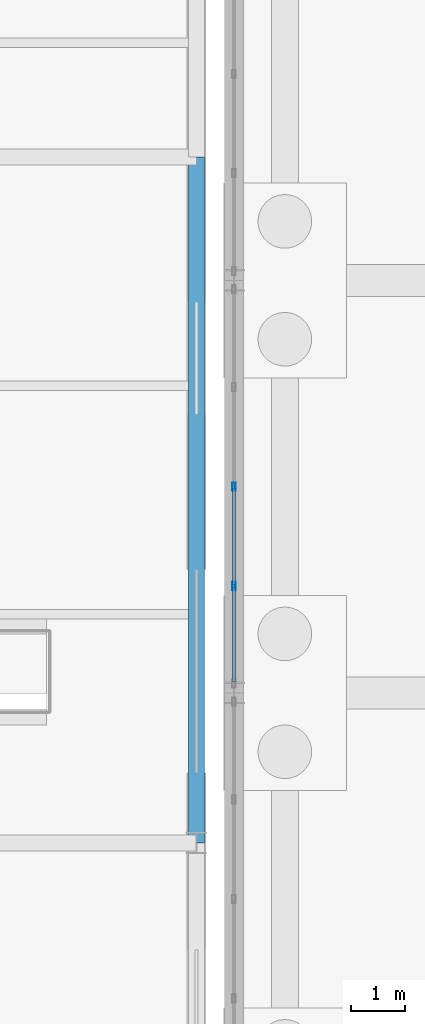
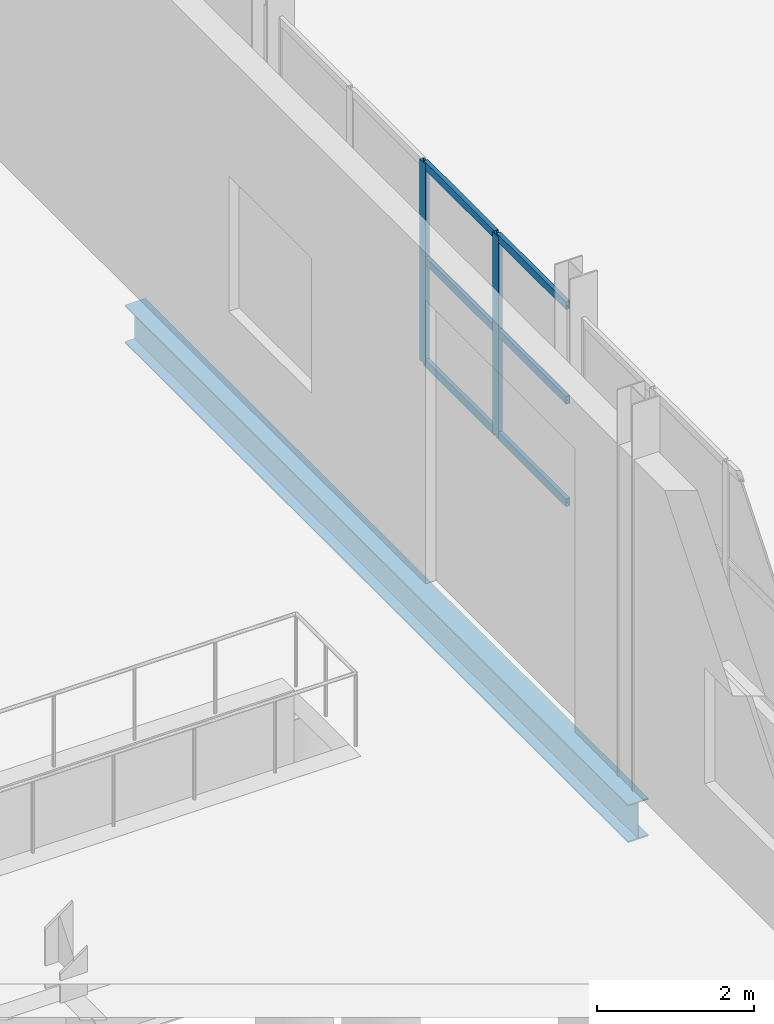
# One storey, part 78 of 139: 8 members, 1 beam, 1 element without a shape of its own.
"""IFC4 building model written with IfcOpenShell, lengths in metres."""

from ifc_helpers import new_model, si_unit, direction, frame, origin, origin_2d, place, context, subcontext, project, spatial, hollow_rectangle, i_section, extrude, material, material_profile, profile_set, type_object, element, aggregate, save


model = new_model("IFC4")

# Units and contexts
model_context = context("Model", 3, precision=1e-05, world=origin(), true_north=direction((0.0, 1.0)))
body_context = subcontext(model_context, "Body", "Model", "MODEL_VIEW")
ifc_project = project(units=[si_unit("LENGTHUNIT", "METRE"), si_unit("AREAUNIT", "SQUARE_METRE"), si_unit("VOLUMEUNIT", "CUBIC_METRE"), si_unit("PLANEANGLEUNIT", "RADIAN"), si_unit("MASSUNIT", "GRAM", prefix="KILO")], contexts=[model_context])

# Site, building, storey
site_placement = place(None, origin())
site = spatial("IfcSite", under=ifc_project, at=site_placement, CompositionType="ELEMENT")
building_placement = place(site_placement, origin())
building = spatial("IfcBuilding", under=site, at=building_placement, Name="Kazenagashi Tramway Depot", CompositionType="ELEMENT")
storey_placement = place(building_placement, origin())
storey = spatial("IfcBuildingStorey", under=building, at=storey_placement, Name="L01", CompositionType="ELEMENT", Elevation=0.0)

# Curtain wall, members
ifc_material_1 = material(Name="Anodised Aluminium and Low-E Glazing", Category="aluminium")
curtain_wall_type = type_object("IfcCurtainWallType", Name="CW-30", PredefinedType="USERDEFINED", material=ifc_material_1)
curtain_wall_placement = place(storey_placement, origin())
curtain_wall = element("IfcCurtainWall", 1, at=curtain_wall_placement, inside=storey, type_object=curtain_wall_type, Name="Industrial Glazed Screen CW-30 CW-0166", ObjectType="GLAZED SCREEN", PredefinedType="USERDEFINED")
ifc_material_2 = material(Name="Anodised Aluminium", Category="aluminium")
ifc_material_profile_1 = material_profile(ifc_material_2, hollow_rectangle(XDim=0.06, YDim=0.15, WallThickness=0.004, at=origin_2d()), Name="RHS-150x60x4")
ifc_profile_set_1 = profile_set([ifc_material_profile_1], Name="Anodised Aluminium")
member_type_1 = type_object("IfcMemberType", Name="ML-01", PredefinedType="MULLION", material=ifc_profile_set_1)
member_1_placement = place(storey_placement, frame((146.3, 40.495, 2.2), z_axis=(0.0, 0.0, 1.0), x_axis=(-1.0, 0.0, 0.0)))
member_1 = element("IfcMember", 2, at=member_1_placement, type_object=member_type_1, Name="CW-30 mullion 2", PredefinedType="MULLION", context=body_context, shape_type="SweptSolid", body=[
    extrude(hollow_rectangle(XDim=0.06, YDim=0.15, WallThickness=0.004, at=origin_2d()), origin(), (0.0, 0.0, 1.0), 3.12),
])
member_2_placement = place(storey_placement, frame((146.3, 42.35, 2.2), z_axis=(0.0, 0.0, 1.0), x_axis=(-1.0, 0.0, 0.0)))
member_2 = element("IfcMember", 3, at=member_2_placement, type_object=member_type_1, Name="CW-30 mullion 3", PredefinedType="MULLION", context=body_context, shape_type="SweptSolid", body=[
    extrude(hollow_rectangle(XDim=0.06, YDim=0.15, WallThickness=0.004, at=origin_2d()), origin(), (0.0, 0.0, 1.0), 3.12),
])

# Beam
ifc_material_3 = material(Name="Steel SN490B", Category="steel")
ifc_material_profile_2 = material_profile(ifc_material_3, i_section(OverallWidth=0.3, OverallDepth=0.588, WebThickness=0.012, FlangeThickness=0.02, at=origin_2d()), Name="H-588x300x12x20")
ifc_profile_set_2 = profile_set([ifc_material_profile_2], Name="Steel SN490B")
beam_type = type_object("IfcBeamType", Name="SP-01", PredefinedType="SPANDREL", material=ifc_profile_set_2)
beam_placement = place(storey_placement, frame((145.6, 35.7, -0.644), z_axis=(0.0, 1.0, 0.0), x_axis=(-1.0, 0.0, 0.0)))
element("IfcBeam", 4, at=beam_placement, inside=storey, type_object=beam_type, Name="Beam SP-01 BM-0944", PredefinedType="SPANDREL", context=body_context, shape_type="SweptSolid", body=[
    extrude(i_section(OverallWidth=0.3, OverallDepth=0.588, WebThickness=0.012, FlangeThickness=0.02, at=origin_2d()), origin(), (0.0, 0.0, 1.0), 12.8),
])

# Member
ifc_material_profile_3 = material_profile(ifc_material_2, hollow_rectangle(XDim=0.06, YDim=0.12, WallThickness=0.004, at=origin_2d()), Name="RHS-120x60x4")
ifc_profile_set_3 = profile_set([ifc_material_profile_3], Name="Anodised Aluminium")
member_type_2 = type_object("IfcMemberType", Name="TR-01", PredefinedType="USERDEFINED", material=ifc_profile_set_3)
member_3_placement = place(storey_placement, frame((146.3, 38.7, 2.23), z_axis=(0.0, 1.0, 0.0), x_axis=(-1.0, 0.0, 0.0)))
member_3 = element("IfcMember", 5, at=member_3_placement, type_object=member_type_2, Name="CW-30 transom 1.1", ObjectType="TRANSOM", PredefinedType="USERDEFINED", context=body_context, shape_type="SweptSolid", body=[
    extrude(hollow_rectangle(XDim=0.06, YDim=0.12, WallThickness=0.004, at=origin_2d()), origin(), (0.0, 0.0, 1.0), 1.765),
])

member_4_placement = place(storey_placement, frame((146.3, 38.7, 3.822), z_axis=(0.0, 1.0, 0.0), x_axis=(-1.0, 0.0, 0.0)))
member_4 = element("IfcMember", 6, at=member_4_placement, type_object=member_type_2, Name="CW-30 transom 1.2", ObjectType="TRANSOM", PredefinedType="USERDEFINED", context=body_context, shape_type="SweptSolid", body=[
    extrude(hollow_rectangle(XDim=0.06, YDim=0.12, WallThickness=0.004, at=origin_2d()), origin(), (0.0, 0.0, 1.0), 1.765),
])

member_5_placement = place(storey_placement, frame((146.3, 38.7, 5.29), z_axis=(0.0, 1.0, 0.0), x_axis=(-1.0, 0.0, 0.0)))
member_5 = element("IfcMember", 7, at=member_5_placement, type_object=member_type_2, Name="CW-30 transom 1.3", ObjectType="TRANSOM", PredefinedType="USERDEFINED", context=body_context, shape_type="SweptSolid", body=[
    extrude(hollow_rectangle(XDim=0.06, YDim=0.12, WallThickness=0.004, at=origin_2d()), origin(), (0.0, 0.0, 1.0), 1.765),
])

member_6_placement = place(storey_placement, frame((146.3, 40.525, 2.23), z_axis=(0.0, 1.0, 0.0), x_axis=(-1.0, 0.0, 0.0)))
member_6 = element("IfcMember", 8, at=member_6_placement, type_object=member_type_2, Name="CW-30 transom 2.1", ObjectType="TRANSOM", PredefinedType="USERDEFINED", context=body_context, shape_type="SweptSolid", body=[
    extrude(hollow_rectangle(XDim=0.06, YDim=0.12, WallThickness=0.004, at=origin_2d()), origin(), (0.0, 0.0, 1.0), 1.795),
])

member_7_placement = place(storey_placement, frame((146.3, 40.525, 3.822), z_axis=(0.0, 1.0, 0.0), x_axis=(-1.0, 0.0, 0.0)))
member_7 = element("IfcMember", 9, at=member_7_placement, type_object=member_type_2, Name="CW-30 transom 2.2", ObjectType="TRANSOM", PredefinedType="USERDEFINED", context=body_context, shape_type="SweptSolid", body=[
    extrude(hollow_rectangle(XDim=0.06, YDim=0.12, WallThickness=0.004, at=origin_2d()), origin(), (0.0, 0.0, 1.0), 1.795),
])

member_8_placement = place(storey_placement, frame((146.3, 40.525, 5.29), z_axis=(0.0, 1.0, 0.0), x_axis=(-1.0, 0.0, 0.0)))
member_8 = element("IfcMember", 10, at=member_8_placement, type_object=member_type_2, Name="CW-30 transom 2.3", ObjectType="TRANSOM", PredefinedType="USERDEFINED", context=body_context, shape_type="SweptSolid", body=[
    extrude(hollow_rectangle(XDim=0.06, YDim=0.12, WallThickness=0.004, at=origin_2d()), origin(), (0.0, 0.0, 1.0), 1.795),
])

aggregate(curtain_wall, [member_1, member_2, member_3, member_4, member_5, member_6, member_7, member_8])

save(model, "model.ifc")
